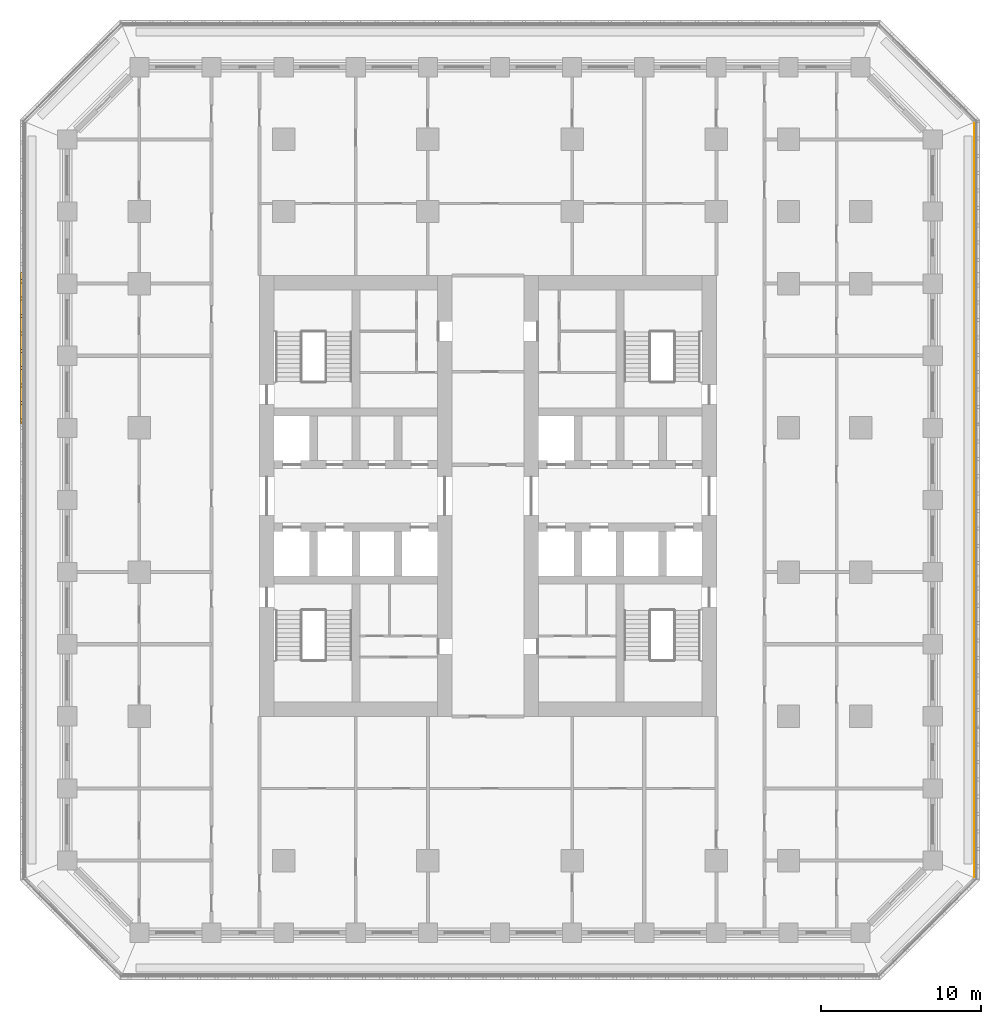
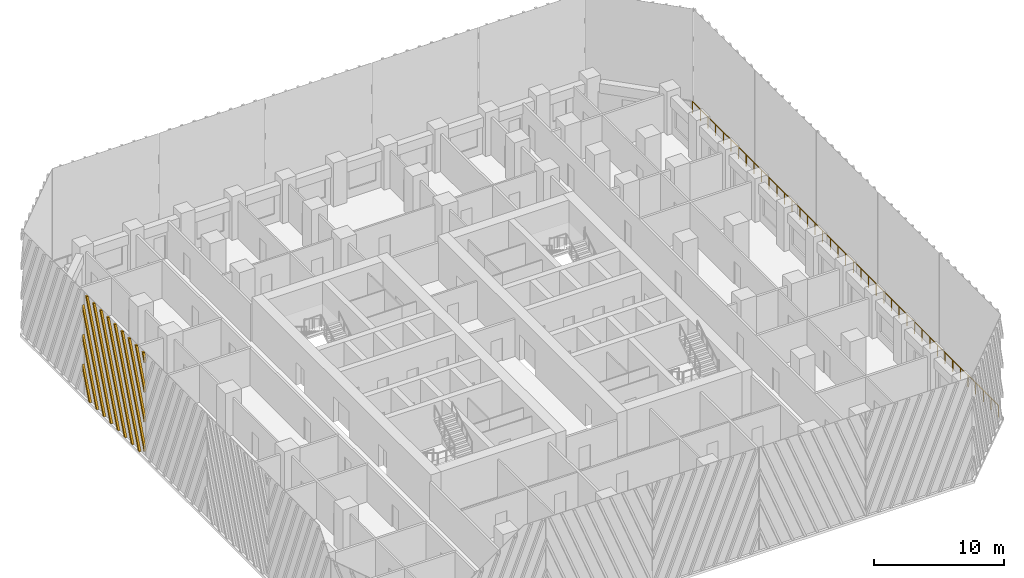
# One storey, part 15 of 20: 1 railing, 1 shading device.
"""IFC4 building model written with IfcOpenShell, lengths in metres."""

from ifc_helpers import new_model, si_unit, direction, frame, origin, origin_2d, place, context, subcontext, project, spatial, polyline, circle, outline, extrude, source, transform, mapped, material, type_object, element, save


model = new_model("IFC4")

# Units and contexts
model_context = context("Model", 3, precision=1e-05, world=origin(), true_north=direction((0.0, 1.0)))
body_context = subcontext(model_context, "Body", "Model", "MODEL_VIEW")
ifc_project = project(units=[si_unit("LENGTHUNIT", "METRE"), si_unit("AREAUNIT", "SQUARE_METRE"), si_unit("VOLUMEUNIT", "CUBIC_METRE"), si_unit("PLANEANGLEUNIT", "RADIAN"), si_unit("MASSUNIT", "GRAM", prefix="KILO")], contexts=[model_context])

# Site, building, storey
site_placement = place(None, origin())
site = spatial("IfcSite", under=ifc_project, at=site_placement, CompositionType="ELEMENT")
building_placement = place(site_placement, origin())
building = spatial("IfcBuilding", under=site, at=building_placement, Name="Corbel Stack Research Tower", CompositionType="ELEMENT")
storey_placement = place(building_placement, frame((0.0, 0.0, 106.60009765625)))
storey = spatial("IfcBuildingStorey", under=building, at=storey_placement, Name="L24", CompositionType="ELEMENT", Elevation=106.60009765625)

# Railing
ifc_material_1 = material(Name="Powder-coated steel guard", Category="steel")
railing_type = type_object("IfcRailingType", Name="Steel and glass guard 1100", PredefinedType="GUARDRAIL", material=ifc_material_1)
railing_placement = place(storey_placement, frame((34.10009765625, -19.00537109375, 0.0)))
element("IfcRailing", 1, at=railing_placement, inside=storey, type_object=railing_type, Name="Loggia guard L24 E", PredefinedType="GUARDRAIL", context=body_context, shape_type="SweptSolid", body=[
    extrude(circle(Radius=0.02392578125, at=origin_2d()), frame((0.0, 0.0, 1.076171875), z_axis=(0.0, 1.0, 0.0), x_axis=(-1.0, 0.0, 0.0)), (0.0, 0.0, 1.0), 47.0107421875),
    extrude(circle(Radius=0.02099609375, at=origin_2d()), origin(), (0.0, 0.0, 1.0), 1.052001953125),
    extrude(circle(Radius=0.02099609375, at=origin_2d()), frame((0.0, 1.17529296875, 0.0)), (0.0, 0.0, 1.0), 1.052001953125),
    extrude(circle(Radius=0.02099609375, at=origin_2d()), frame((0.0, 2.3505859375, 0.0)), (0.0, 0.0, 1.0), 1.052001953125),
    extrude(circle(Radius=0.02099609375, at=origin_2d()), frame((0.0, 3.52587890625, 0.0)), (0.0, 0.0, 1.0), 1.052001953125),
    extrude(circle(Radius=0.02099609375, at=origin_2d()), frame((0.0, 4.701171875, 0.0)), (0.0, 0.0, 1.0), 1.052001953125),
    extrude(circle(Radius=0.02099609375, at=origin_2d()), frame((0.0, 5.87646484375, 0.0)), (0.0, 0.0, 1.0), 1.052001953125),
    extrude(circle(Radius=0.02099609375, at=origin_2d()), frame((0.0, 7.051513671875, 0.0)), (0.0, 0.0, 1.0), 1.052001953125),
    extrude(circle(Radius=0.02099609375, at=origin_2d()), frame((0.0, 8.226806640625, 0.0)), (0.0, 0.0, 1.0), 1.052001953125),
    extrude(circle(Radius=0.02099609375, at=origin_2d()), frame((0.0, 9.402099609375, 0.0)), (0.0, 0.0, 1.0), 1.052001953125),
    extrude(circle(Radius=0.02099609375, at=origin_2d()), frame((0.0, 10.577392578125, 0.0)), (0.0, 0.0, 1.0), 1.052001953125),
    extrude(circle(Radius=0.02099609375, at=origin_2d()), frame((0.0, 11.752685546875, 0.0)), (0.0, 0.0, 1.0), 1.052001953125),
    extrude(circle(Radius=0.02099609375, at=origin_2d()), frame((0.0, 12.927978515625, 0.0)), (0.0, 0.0, 1.0), 1.052001953125),
    extrude(circle(Radius=0.02099609375, at=origin_2d()), frame((0.0, 14.103271484375, 0.0)), (0.0, 0.0, 1.0), 1.052001953125),
    extrude(circle(Radius=0.02099609375, at=origin_2d()), frame((0.0, 15.278564453125, 0.0)), (0.0, 0.0, 1.0), 1.052001953125),
    extrude(circle(Radius=0.02099609375, at=origin_2d()), frame((0.0, 16.453857421875, 0.0)), (0.0, 0.0, 1.0), 1.052001953125),
    extrude(circle(Radius=0.02099609375, at=origin_2d()), frame((0.0, 17.62890625, 0.0)), (0.0, 0.0, 1.0), 1.052001953125),
    extrude(circle(Radius=0.02099609375, at=origin_2d()), frame((0.0, 18.80419921875, 0.0)), (0.0, 0.0, 1.0), 1.052001953125),
    extrude(circle(Radius=0.02099609375, at=origin_2d()), frame((0.0, 19.9794921875, 0.0)), (0.0, 0.0, 1.0), 1.052001953125),
    extrude(circle(Radius=0.02099609375, at=origin_2d()), frame((0.0, 21.15478515625, 0.0)), (0.0, 0.0, 1.0), 1.052001953125),
    extrude(circle(Radius=0.02099609375, at=origin_2d()), frame((0.0, 22.330078125, 0.0)), (0.0, 0.0, 1.0), 1.052001953125),
    extrude(circle(Radius=0.02099609375, at=origin_2d()), frame((0.0, 23.50537109375, 0.0)), (0.0, 0.0, 1.0), 1.052001953125),
    extrude(circle(Radius=0.02099609375, at=origin_2d()), frame((0.0, 24.6806640625, 0.0)), (0.0, 0.0, 1.0), 1.052001953125),
    extrude(circle(Radius=0.02099609375, at=origin_2d()), frame((0.0, 25.85595703125, 0.0)), (0.0, 0.0, 1.0), 1.052001953125),
    extrude(circle(Radius=0.02099609375, at=origin_2d()), frame((0.0, 27.03125, 0.0)), (0.0, 0.0, 1.0), 1.052001953125),
    extrude(circle(Radius=0.02099609375, at=origin_2d()), frame((0.0, 28.20654296875, 0.0)), (0.0, 0.0, 1.0), 1.052001953125),
    extrude(circle(Radius=0.02099609375, at=origin_2d()), frame((0.0, 29.3818359375, 0.0)), (0.0, 0.0, 1.0), 1.052001953125),
    extrude(circle(Radius=0.02099609375, at=origin_2d()), frame((0.0, 30.556884765625, 0.0)), (0.0, 0.0, 1.0), 1.052001953125),
    extrude(circle(Radius=0.02099609375, at=origin_2d()), frame((0.0, 31.732177734375, 0.0)), (0.0, 0.0, 1.0), 1.052001953125),
    extrude(circle(Radius=0.02099609375, at=origin_2d()), frame((0.0, 32.907470703125, 0.0)), (0.0, 0.0, 1.0), 1.052001953125),
    extrude(circle(Radius=0.02099609375, at=origin_2d()), frame((0.0, 34.082763671875, 0.0)), (0.0, 0.0, 1.0), 1.052001953125),
    extrude(circle(Radius=0.02099609375, at=origin_2d()), frame((0.0, 35.258056640625, 0.0)), (0.0, 0.0, 1.0), 1.052001953125),
    extrude(circle(Radius=0.02099609375, at=origin_2d()), frame((0.0, 36.433349609375, 0.0)), (0.0, 0.0, 1.0), 1.052001953125),
    extrude(circle(Radius=0.02099609375, at=origin_2d()), frame((0.0, 37.608642578125, 0.0)), (0.0, 0.0, 1.0), 1.052001953125),
    extrude(circle(Radius=0.02099609375, at=origin_2d()), frame((0.0, 38.783935546875, 0.0)), (0.0, 0.0, 1.0), 1.052001953125),
    extrude(circle(Radius=0.02099609375, at=origin_2d()), frame((0.0, 39.959228515625, 0.0)), (0.0, 0.0, 1.0), 1.052001953125),
    extrude(circle(Radius=0.02099609375, at=origin_2d()), frame((0.0, 41.13427734375, 0.0)), (0.0, 0.0, 1.0), 1.052001953125),
    extrude(circle(Radius=0.02099609375, at=origin_2d()), frame((0.0, 42.3095703125, 0.0)), (0.0, 0.0, 1.0), 1.052001953125),
    extrude(circle(Radius=0.02099609375, at=origin_2d()), frame((0.0, 43.48486328125, 0.0)), (0.0, 0.0, 1.0), 1.052001953125),
    extrude(circle(Radius=0.02099609375, at=origin_2d()), frame((0.0, 44.66015625, 0.0)), (0.0, 0.0, 1.0), 1.052001953125),
    extrude(circle(Radius=0.02099609375, at=origin_2d()), frame((0.0, 45.83544921875, 0.0)), (0.0, 0.0, 1.0), 1.052001953125),
    extrude(circle(Radius=0.02099609375, at=origin_2d()), frame((0.0, 47.0107421875, 0.0)), (0.0, 0.0, 1.0), 1.052001953125),
])

# Shading device
ifc_material_2 = material(Name="Precast terracotta", Category="masonry")
shading_device_type = type_object("IfcShadingDeviceType", Name="Terracotta screen panel", PredefinedType="USERDEFINED", material=ifc_material_2)
shared_shape = source(origin(), body_context, "Body", "SweptSolid", [
    extrude(outline(polyline([(1.14453125, 0.0), (0.0, 2.930419921875), (0.0, 2.44384765625), (0.95458984375, 0.0), (1.14453125, 0.0)])), frame((0.0, 0.0, 0.0), z_axis=(0.0, -1.0, 0.0), x_axis=(1.0, 0.0, 0.0)), (0.0, 0.0, 1.0), 0.179931640625),
    extrude(outline(polyline([(2.22900390625, 0.0), (0.0, 5.707763671875), (0.0, 5.22119140625), (2.0390625, 0.0), (2.22900390625, 0.0)])), frame((0.0, 0.0, 0.0), z_axis=(0.0, -1.0, 0.0), x_axis=(1.0, 0.0, 0.0)), (0.0, 0.0, 1.0), 0.179931640625),
    extrude(outline(polyline([(3.313720703125, 0.0), (0.0, 8.485107421875), (0.0, 7.99853515625), (3.123779296875, 0.0), (3.313720703125, 0.0)])), frame((0.0, 0.0, 0.0), z_axis=(0.0, -1.0, 0.0), x_axis=(1.0, 0.0, 0.0)), (0.0, 0.0, 1.0), 0.179931640625),
    extrude(outline(polyline([(4.3984375, 0.0), (0.629638671875, 9.64990234375), (0.439697265625, 9.64990234375), (4.20849609375, 0.0), (4.3984375, 0.0)])), frame((0.0, 0.0, 0.0), z_axis=(0.0, -1.0, 0.0), x_axis=(1.0, 0.0, 0.0)), (0.0, 0.0, 1.0), 0.179931640625),
    extrude(outline(polyline([(5.483154296875, 0.0), (1.71435546875, 9.64990234375), (1.5244140625, 9.64990234375), (5.293212890625, 0.0), (5.483154296875, 0.0)])), frame((0.0, 0.0, 0.0), z_axis=(0.0, -1.0, 0.0), x_axis=(1.0, 0.0, 0.0)), (0.0, 0.0, 1.0), 0.179931640625),
    extrude(outline(polyline([(6.56787109375, 0.0), (2.799072265625, 9.64990234375), (2.60888671875, 9.64990234375), (6.377685546875, 0.0), (6.56787109375, 0.0)])), frame((0.0, 0.0, 0.0), z_axis=(0.0, -1.0, 0.0), x_axis=(1.0, 0.0, 0.0)), (0.0, 0.0, 1.0), 0.179931640625),
    extrude(outline(polyline([(7.652587890625, 0.0), (3.8837890625, 9.64990234375), (3.693603515625, 9.64990234375), (7.46240234375, 0.0), (7.652587890625, 0.0)])), frame((0.0, 0.0, 0.0), z_axis=(0.0, -1.0, 0.0), x_axis=(1.0, 0.0, 0.0)), (0.0, 0.0, 1.0), 0.179931640625),
    extrude(outline(polyline([(8.737060546875, 0.0), (4.968505859375, 9.64990234375), (4.7783203125, 9.64990234375), (8.547119140625, 0.0), (8.737060546875, 0.0)])), frame((0.0, 0.0, 0.0), z_axis=(0.0, -1.0, 0.0), x_axis=(1.0, 0.0, 0.0)), (0.0, 0.0, 1.0), 0.179931640625),
    extrude(outline(polyline([(6.052978515625, 9.64990234375), (5.863037109375, 9.64990234375), (9.45556640625, 0.451171875), (9.45556640625, 0.9375), (6.052978515625, 9.64990234375)])), frame((0.0, 0.0, 0.0), z_axis=(0.0, -1.0, 0.0), x_axis=(1.0, 0.0, 0.0)), (0.0, 0.0, 1.0), 0.179931640625),
    extrude(outline(polyline([(7.1376953125, 9.64990234375), (6.94775390625, 9.64990234375), (9.45556640625, 3.228515625), (9.45556640625, 3.71484375), (7.1376953125, 9.64990234375)])), frame((0.0, 0.0, 0.0), z_axis=(0.0, -1.0, 0.0), x_axis=(1.0, 0.0, 0.0)), (0.0, 0.0, 1.0), 0.179931640625),
    extrude(outline(polyline([(8.222412109375, 9.64990234375), (8.032470703125, 9.64990234375), (9.45556640625, 6.005615234375), (9.45556640625, 6.4921875), (8.222412109375, 9.64990234375)])), frame((0.0, 0.0, 0.0), z_axis=(0.0, -1.0, 0.0), x_axis=(1.0, 0.0, 0.0)), (0.0, 0.0, 1.0), 0.179931640625),
    extrude(outline(polyline([(9.306884765625, 9.64990234375), (9.116943359375, 9.64990234375), (9.45556640625, 8.782958984375), (9.45556640625, 9.26953125), (9.306884765625, 9.64990234375)])), frame((0.0, 0.0, 0.0), z_axis=(0.0, -1.0, 0.0), x_axis=(1.0, 0.0, 0.0)), (0.0, 0.0, 1.0), 0.179931640625),
])
shading_device_placement = place(storey_placement, frame((-25.25, 18.68359375, 0.0), z_axis=(0.0, 0.0, 1.0), x_axis=(0.0, -1.0, 0.0)))
element("IfcShadingDevice", 2, at=shading_device_placement, inside=storey, type_object=shading_device_type, Name="Terracotta screen L24 W2", ObjectType="SCREEN", PredefinedType="USERDEFINED", context=body_context, shape_type="MappedRepresentation", body=[
    mapped(shared_shape, transform((0.0, 0.0, 0.0))),
])

save(model, "model.ifc")
